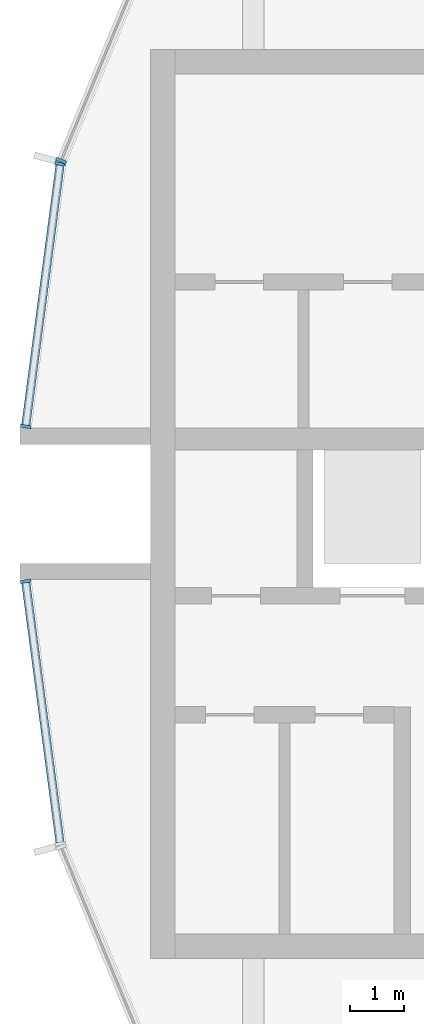
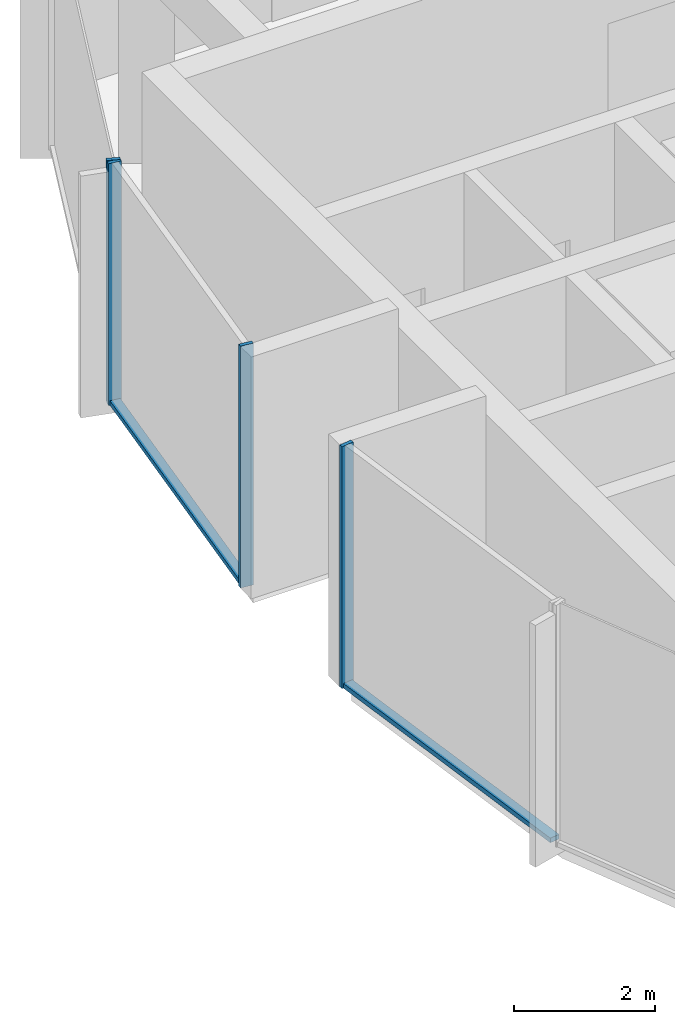
# One storey, part 3 of 15: 6 members, 3 elements without a shape of their own.
"""IFC4 building model written with IfcOpenShell, lengths in metres."""

from ifc_helpers import new_model, si_unit, direction, frame, origin, origin_2d, place, context, subcontext, project, spatial, rectangle, extrude, material, layer, layer_set, material_profile, profile_set, type_object, element, aggregate, save


model = new_model("IFC4")

# Units and contexts
model_context = context("Model", 3, precision=1e-05, world=origin(), true_north=direction((0.0, 1.0)))
body_context = subcontext(model_context, "Body", "Model", "MODEL_VIEW")
ifc_project = project(units=[si_unit("LENGTHUNIT", "METRE"), si_unit("AREAUNIT", "SQUARE_METRE"), si_unit("VOLUMEUNIT", "CUBIC_METRE"), si_unit("PLANEANGLEUNIT", "RADIAN"), si_unit("MASSUNIT", "GRAM", prefix="KILO")], contexts=[model_context])

# Site, building, storey
site_placement = place(None, origin())
site = spatial("IfcSite", under=ifc_project, at=site_placement, CompositionType="ELEMENT")
building_placement = place(site_placement, origin())
building = spatial("IfcBuilding", under=site, at=building_placement, Name="Torre Brocal", CompositionType="ELEMENT")
storey_placement = place(building_placement, frame((0.0, 0.0, 279.89990234375)))
storey = spatial("IfcBuildingStorey", under=building, at=storey_placement, Name="L64", CompositionType="ELEMENT", Elevation=279.89990234375)

# Curtain wall, member
ifc_material_1 = material(Name="Aluminium and glass", Category="aluminium")
ifc_layer_1 = layer(ifc_material_1, 0.199951171875)
ifc_layer_set_1 = layer_set([ifc_layer_1], Name="Aluminium and glass")
curtain_wall_type_1 = type_object("IfcCurtainWallType", Name="CW-1 CURTAIN WALL 4200 HIGH", PredefinedType="NOTDEFINED", material=ifc_layer_set_1)
curtain_wall_1_placement = place(storey_placement, origin())
curtain_wall_1 = element("IfcCurtainWall", 1, at=curtain_wall_1_placement, inside=storey, type_object=curtain_wall_type_1, Name="CW-1 RUN 11", PredefinedType="NOTDEFINED")
ifc_material_2 = material(Name="Aluminium, dark anodised", Category="aluminium")
ifc_material_profile_1 = material_profile(ifc_material_2, rectangle(XDim=0.199951171875, YDim=0.06005859375, at=origin_2d()), Name="CW-1 MULLION 60X200")
ifc_profile_set_1 = profile_set([ifc_material_profile_1], Name="Aluminium, dark anodised")
member_type_1 = type_object("IfcMemberType", Name="CW-1 MULLION 60X200", PredefinedType="MULLION", material=ifc_profile_set_1)
member_1_placement = place(storey_placement, frame((56.443603515625, 81.3427734375, 0.0), z_axis=(0.0, 0.0, 1.0), x_axis=(0.923879532471, -0.382683432462, 0.0)))
member_1 = element("IfcMember", 2, at=member_1_placement, type_object=member_type_1, Name="CW1-5 mullion 2", PredefinedType="MULLION", context=body_context, shape_type="SweptSolid", body=[
    extrude(rectangle(XDim=0.199951171875, YDim=0.06005859375, at=origin_2d()), origin(), (0.0, 0.0, 1.0), 4.2001953125),
])
aggregate(curtain_wall_1, [member_1])

# Curtain wall, members
ifc_material_3 = material(Name="Aluminium and glass", Category="aluminium")
ifc_layer_2 = layer(ifc_material_3, 0.199951171875)
ifc_layer_set_2 = layer_set([ifc_layer_2], Name="Aluminium and glass")
curtain_wall_type_2 = type_object("IfcCurtainWallType", Name="CW-1B CURTAIN WALL 4200 HIGH", PredefinedType="NOTDEFINED", material=ifc_layer_set_2)
curtain_wall_2_placement = place(storey_placement, origin())
curtain_wall_2 = element("IfcCurtainWall", 3, at=curtain_wall_2_placement, inside=storey, type_object=curtain_wall_type_2, Name="CW-1B RUN 12", PredefinedType="NOTDEFINED")
ifc_material_4 = material(Name="Aluminium, dark anodised", Category="aluminium")
ifc_material_profile_2 = material_profile(ifc_material_4, rectangle(XDim=0.199951171875, YDim=0.06005859375, at=origin_2d()), Name="CW-1B MULLION 60X200")
ifc_profile_set_2 = profile_set([ifc_material_profile_2], Name="Aluminium, dark anodised")
member_type_2 = type_object("IfcMemberType", Name="CW-1B MULLION 60X200", PredefinedType="MULLION", material=ifc_profile_set_2)
member_2_placement = place(storey_placement, frame((56.42822265625, 81.28515625, 0.0), z_axis=(0.0, 0.0, 1.0), x_axis=(0.991444861387, -0.130526192116, 0.0)))
member_2 = element("IfcMember", 4, at=member_2_placement, type_object=member_type_2, Name="CW1B-5 mullion 1", PredefinedType="MULLION", context=body_context, shape_type="SweptSolid", body=[
    extrude(rectangle(XDim=0.199951171875, YDim=0.06005859375, at=origin_2d()), origin(), (0.0, 0.0, 1.0), 4.2001953125),
])
member_3_placement = place(storey_placement, frame((55.7890625, 76.4296875, 0.0), z_axis=(0.0, 0.0, 1.0), x_axis=(0.991444861387, -0.130526192116, 0.0)))
member_3 = element("IfcMember", 5, at=member_3_placement, type_object=member_type_2, Name="CW1B-5 mullion 2", PredefinedType="MULLION", context=body_context, shape_type="SweptSolid", body=[
    extrude(rectangle(XDim=0.199951171875, YDim=0.06005859375, at=origin_2d()), origin(), (0.0, 0.0, 1.0), 4.2001953125),
])

# Curtain wall, member
curtain_wall_3_placement = place(storey_placement, origin())
curtain_wall_3 = element("IfcCurtainWall", 6, at=curtain_wall_3_placement, inside=storey, type_object=curtain_wall_type_2, Name="CW-1B RUN 13", PredefinedType="NOTDEFINED")
member_4_placement = place(storey_placement, frame((55.7890625, 73.5703125, 0.0), z_axis=(0.0, 0.0, 1.0), x_axis=(0.991444861387, 0.130526192116, 0.0)))
member_4 = element("IfcMember", 7, at=member_4_placement, type_object=member_type_2, Name="CW1B-5 mullion 1", PredefinedType="MULLION", context=body_context, shape_type="SweptSolid", body=[
    extrude(rectangle(XDim=0.199951171875, YDim=0.06005859375, at=origin_2d()), origin(), (0.0, 0.0, 1.0), 4.2001953125),
])

# Member
ifc_material_5 = material(Name="Aluminium, dark anodised", Category="aluminium")
ifc_material_profile_3 = material_profile(ifc_material_5, rectangle(XDim=0.159912109375, YDim=0.080078125, at=origin_2d()), Name="CW-1B TRANSOM 160X80")
ifc_profile_set_3 = profile_set([ifc_material_profile_3], Name="Aluminium, dark anodised")
member_type_3 = type_object("IfcMemberType", Name="CW-1B TRANSOM 160X80", PredefinedType="USERDEFINED", material=ifc_profile_set_3)
member_5_placement = place(storey_placement, frame((56.42431640625, 81.25537109375, 0.0400390625), z_axis=(-0.130517179786, -0.991446047842, 0.0), x_axis=(0.991446047842, -0.130517179786, 0.0)))
member_5 = element("IfcMember", 8, at=member_5_placement, type_object=member_type_3, Name="CW1B-5 transom 1.1", ObjectType="TRANSOM", PredefinedType="USERDEFINED", context=body_context, shape_type="SweptSolid", body=[
    extrude(rectangle(XDim=0.159912109375, YDim=0.080078125, at=origin_2d()), origin(), (0.0, 0.0, 1.0), 4.837158203125),
])

aggregate(curtain_wall_2, [member_2, member_3, member_5])

member_6_placement = place(storey_placement, frame((55.79296875, 73.54052734375, 0.0400390625), z_axis=(0.130517179786, -0.991446047842, 0.0), x_axis=(0.991446047842, 0.130517179786, 0.0)))
member_6 = element("IfcMember", 9, at=member_6_placement, type_object=member_type_3, Name="CW1B-5 transom 1.1", ObjectType="TRANSOM", PredefinedType="USERDEFINED", context=body_context, shape_type="SweptSolid", body=[
    extrude(rectangle(XDim=0.159912109375, YDim=0.080078125, at=origin_2d()), origin(), (0.0, 0.0, 1.0), 4.837158203125),
])

aggregate(curtain_wall_3, [member_4, member_6])

save(model, "model.ifc")
